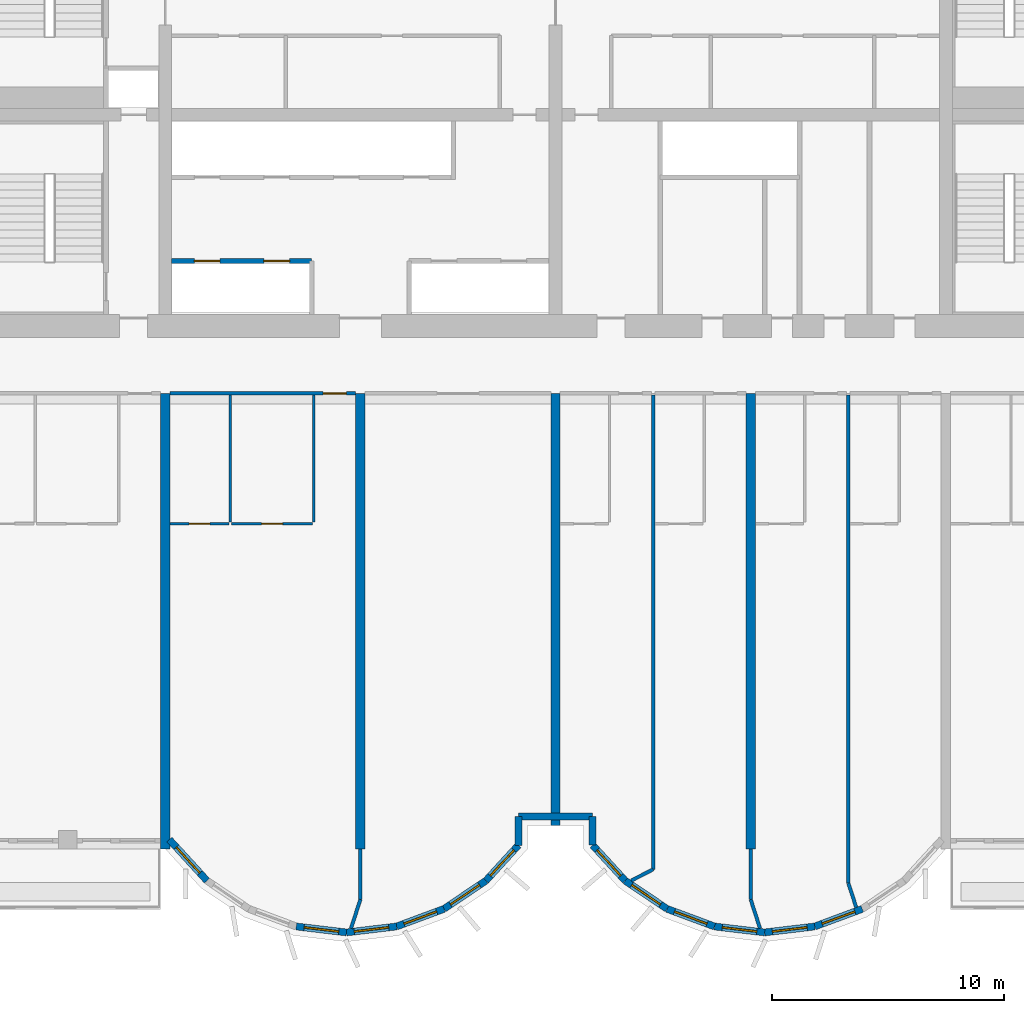
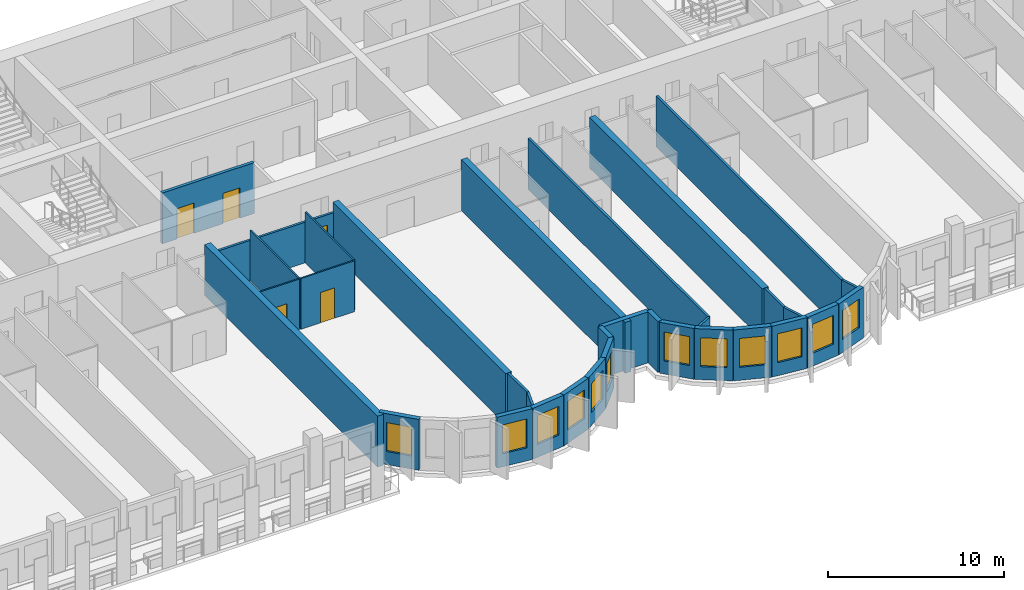
# One storey, part 4 of 14: 33 walls, 12 windows, 5 doors, 17 openings.
"""IFC4 building model written with IfcOpenShell, lengths in metres."""

import ifcopenshell
import ifcopenshell.guid

model = None  # the IFC model being written
_history = None  # IfcOwnerHistory: only IFC2X3 demands one
_inside = {}  # id of a spatial element -> (the spatial element, [elements in it])
_under = {}  # id of a project, library or spatial element -> (it, [spatial elements below it])
_declared = {}  # id of a project -> (the project, [libraries it declares])
_typed = {}  # id of a type object -> (the type object, [elements of that type])
_made_of = {}  # id of a material, layer set ... -> (it, [elements and type objects made of it])


def new_model(schema):
    """Start an empty IFC model of exactly this schema.

    Asked for "IFC4X3", IfcOpenShell would pick the latest addendum, in which some entities
    have other attributes; the version numbers below select the first issue.
    IFC2X3 requires an IfcOwnerHistory on every rooted entity: one is made here for all.
    """
    global model, _history
    if schema == "IFC4X3":
        model = ifcopenshell.file(schema_version=(4, 3, 0, 0))
    else:
        model = ifcopenshell.file(schema=schema)
    _inside.clear()
    _under.clear()
    _declared.clear()
    _typed.clear()
    _made_of.clear()
    _history = None
    if model.schema == "IFC2X3":
        org = make("IfcOrganization", Name="unknown")
        user = make(
            "IfcPersonAndOrganization",
            ThePerson=make("IfcPerson", FamilyName="unknown"),
            TheOrganization=org,
        )
        app = make(
            "IfcApplication",
            ApplicationDeveloper=org,
            Version="unknown",
            ApplicationFullName="unknown",
            ApplicationIdentifier="unknown",
        )
        _history = make(
            "IfcOwnerHistory",
            OwningUser=user,
            OwningApplication=app,
            ChangeAction="ADDED",
            CreationDate=0,
        )
    return model


def make(cls, **values):
    """One entity of the class cls with the attributes given. An attribute that is None is left unset."""
    return model.create_entity(
        cls, **{name: value for name, value in values.items() if value is not None}
    )


def rooted(cls, **values):
    """An entity with a GlobalId (a new one), such as an element, a storey or a relation."""
    return make(cls, GlobalId=ifcopenshell.guid.new(), OwnerHistory=_history, **values)


def si_unit(unit_type, name, prefix=None):
    """IfcSIUnit, for example si_unit("LENGTHUNIT", "METRE", prefix="MILLI")."""
    return make("IfcSIUnit", UnitType=unit_type, Prefix=prefix, Name=name)


def assignment(units):
    """IfcUnitAssignment: the units of a project."""
    return None if units is None else make("IfcUnitAssignment", Units=units)


def point(xyz):
    """IfcCartesianPoint."""
    return None if xyz is None else make("IfcCartesianPoint", Coordinates=xyz)


def direction(xyz):
    """IfcDirection."""
    return None if xyz is None else make("IfcDirection", DirectionRatios=xyz)


def frame(location, z_axis=None, x_axis=None):
    """IfcAxis2Placement3D, a coordinate frame: its origin and axes. An axis left out is left unset."""
    return make(
        "IfcAxis2Placement3D",
        Location=point(location),
        Axis=direction(z_axis),
        RefDirection=direction(x_axis),
    )


def frame_2d(location, x_axis=None):
    """IfcAxis2Placement2D, a coordinate frame in the plane: its origin and x axis."""
    return make(
        "IfcAxis2Placement2D", Location=point(location), RefDirection=direction(x_axis)
    )


def origin():
    """The frame at (0, 0, 0) with its axes left unset."""
    return frame((0.0, 0.0, 0.0))


def place(relative_to, where):
    """IfcLocalPlacement: puts the frame where relative to a parent placement (None: the world)."""
    return make(
        "IfcLocalPlacement", PlacementRelTo=relative_to, RelativePlacement=where
    )


def context(
    kind, dimensions, precision=None, world=None, true_north=None, identifier=None
):
    """IfcGeometricRepresentationContext, for example the 3D "Model" context."""
    return make(
        "IfcGeometricRepresentationContext",
        ContextIdentifier=identifier,
        ContextType=kind,
        CoordinateSpaceDimension=dimensions,
        Precision=precision,
        WorldCoordinateSystem=world,
        TrueNorth=true_north,
    )


def subcontext(parent, identifier, kind, view, scale=None):
    """IfcGeometricRepresentationSubContext, for example "Body" below "Model"."""
    return make(
        "IfcGeometricRepresentationSubContext",
        ContextIdentifier=identifier,
        ContextType=kind,
        ParentContext=parent,
        TargetScale=scale,
        TargetView=view,
    )


def project(units=None, contexts=None):
    """IfcProject with its units and contexts."""
    return rooted(
        "IfcProject",
        Name="project",
        RepresentationContexts=contexts,
        UnitsInContext=assignment(units),
    )


def spatial(cls, under=None, at=None, **own):
    """A site, building, storey or space (cls), placed at a placement, below another one or the project."""
    s = rooted(cls, ObjectPlacement=at, **own)
    if under is not None:
        _under.setdefault(under.id(), (under, []))[1].append(s)
    return s


def profile(cls, at=None, kind="AREA", **sizes):
    """A parametric profile (cls). Its sizes go by their IFC names, for example OverallWidth=200.0."""
    return make(cls, ProfileType=kind, Position=at, **sizes)


def rectangle(**sizes):
    """IfcRectangleProfileDef."""
    return profile("IfcRectangleProfileDef", **sizes)


def extrude(swept, where, along, depth):
    """IfcExtrudedAreaSolid: the profile swept, set in the frame where, extruded along a direction by depth."""
    return make(
        "IfcExtrudedAreaSolid",
        SweptArea=swept,
        Position=where,
        ExtrudedDirection=direction(along),
        Depth=depth,
    )


def shape(context_of_items, identifier, shape_type, items):
    """IfcShapeRepresentation: the items that make up one representation, for example the "Body"."""
    return make(
        "IfcShapeRepresentation",
        ContextOfItems=context_of_items,
        RepresentationIdentifier=identifier,
        RepresentationType=shape_type,
        Items=items,
    )


def source(mapping_origin, context_of_items, identifier, shape_type, items):
    """IfcRepresentationMap: a shape defined once, which mapped items show again and again."""
    return make(
        "IfcRepresentationMap",
        MappingOrigin=mapping_origin,
        MappedRepresentation=shape(context_of_items, identifier, shape_type, items),
    )


def transform(
    local_origin,
    x_axis=None,
    y_axis=None,
    z_axis=None,
    scale=None,
    scale2=None,
    scale3=None,
    uniform=True,
):
    """IfcCartesianTransformationOperator3D, or its non-uniform kind. x_axis, y_axis, z_axis: its Axis1, 2, 3."""
    if uniform:
        return make(
            "IfcCartesianTransformationOperator3D",
            Axis1=direction(x_axis),
            Axis2=direction(y_axis),
            LocalOrigin=point(local_origin),
            Scale=scale,
            Axis3=direction(z_axis),
        )
    return make(
        "IfcCartesianTransformationOperator3DnonUniform",
        Axis1=direction(x_axis),
        Axis2=direction(y_axis),
        LocalOrigin=point(local_origin),
        Scale=scale,
        Axis3=direction(z_axis),
        Scale2=scale2,
        Scale3=scale3,
    )


def mapped(mapping_source, mapping_target):
    """IfcMappedItem: shows the shape of a source again, moved by a transform."""
    return make(
        "IfcMappedItem", MappingSource=mapping_source, MappingTarget=mapping_target
    )


def material(Name=None, Category=None):
    """IfcMaterial."""
    return make("IfcMaterial", Name=Name, Category=Category)


def layer(
    of_material, thickness, ventilated=None, Name=None, Category=None, Priority=None
):
    """IfcMaterialLayer: one layer of a wall or slab, of a material (None: an air gap)."""
    return make(
        "IfcMaterialLayer",
        Material=of_material,
        LayerThickness=thickness,
        IsVentilated=ventilated,
        Name=Name,
        Category=Category,
        Priority=Priority,
    )


def layer_set(layers, Name=None):
    """IfcMaterialLayerSet."""
    return make("IfcMaterialLayerSet", MaterialLayers=layers, LayerSetName=Name)


def made_of(thing, what):
    """Note that an element or type object is made of a material, layer set ...; save() writes the relation."""
    if what is not None:
        _made_of.setdefault(what.id(), (what, []))[1].append(thing)
    return thing


def type_object(cls, material=None, **own):
    """A type object (cls), such as IfcWallType, which elements share."""
    return made_of(rooted(cls, **own), material)


def element(
    cls,
    number,
    at=None,
    inside=None,
    cuts=None,
    type_object=None,
    material=None,
    context=None,
    identifier="Body",
    shape_type=None,
    held_by="IfcProductDefinitionShape",
    body=None,
    shapes=None,
    **own,
):
    """One element of the class cls, such as IfcWall. Its Tag is "e" and its number.

    at: its placement. inside: the storey or other place that contains it. cuts: it is an
    opening in that element (IfcRelVoidsElement). A single representation is given by context,
    identifier, shape_type and body (its items); several are given by shapes. held_by: the class
    of the entity that holds the representations. save() writes the other relations.
    """
    e = rooted(cls, Tag="e%d" % number, ObjectPlacement=at, **own)
    if body is not None:
        shapes = [shape(context, identifier, shape_type, body)]
    if shapes is not None:
        e.Representation = make(held_by, Representations=shapes)
    if inside is not None:
        _inside.setdefault(inside.id(), (inside, []))[1].append(e)
    if cuts is not None:
        rooted(
            "IfcRelVoidsElement", RelatingBuildingElement=cuts, RelatedOpeningElement=e
        )
    if type_object is not None:
        _typed.setdefault(type_object.id(), (type_object, []))[1].append(e)
    return made_of(e, material)


def fill(opening, filler):
    """IfcRelFillsElement: the door or window that sits in an opening."""
    return rooted(
        "IfcRelFillsElement",
        RelatingOpeningElement=opening,
        RelatedBuildingElement=filler,
    )


def aggregate(whole, parts):
    """IfcRelAggregates: a whole, such as a stair, and the parts it consists of."""
    return rooted("IfcRelAggregates", RelatingObject=whole, RelatedObjects=parts)


def save(model, path):
    """Write the relations noted so far, then the file.

    IfcRelAggregates (storeys below a building ...), IfcRelContainedInSpatialStructure (elements
    in a storey), IfcRelDefinesByType, IfcRelAssociatesMaterial and IfcRelDeclares: one each for
    every whole, place, type object, material and project.
    """
    for whole, parts in _under.values():
        aggregate(whole, parts)
    for where, things in _inside.values():
        rooted(
            "IfcRelContainedInSpatialStructure",
            RelatedElements=things,
            RelatingStructure=where,
        )
    for kind, things in _typed.values():
        rooted("IfcRelDefinesByType", RelatedObjects=things, RelatingType=kind)
    for what, things in _made_of.values():
        rooted("IfcRelAssociatesMaterial", RelatedObjects=things, RelatingMaterial=what)
    for by, libraries in _declared.values():
        rooted("IfcRelDeclares", RelatingContext=by, RelatedDefinitions=libraries)
    model.write(path)


model = new_model("IFC4")

# Units and contexts
model_context = context("Model", 3, precision=1e-05, world=origin(), true_north=direction((0.0, 1.0)))
body_context = subcontext(model_context, "Body", "Model", "MODEL_VIEW")
ifc_project = project(units=[si_unit("LENGTHUNIT", "METRE"), si_unit("AREAUNIT", "SQUARE_METRE"), si_unit("VOLUMEUNIT", "CUBIC_METRE"), si_unit("PLANEANGLEUNIT", "RADIAN"), si_unit("MASSUNIT", "GRAM", prefix="KILO")], contexts=[model_context])

# Site, building, storey
site_placement = place(None, origin())
site = spatial("IfcSite", under=ifc_project, at=site_placement, CompositionType="ELEMENT")
building_placement = place(site_placement, origin())
building = spatial("IfcBuilding", under=site, at=building_placement, Name="Vanashikhar Sky Hotel", CompositionType="ELEMENT")
storey_placement = place(building_placement, frame((0.0, 0.0, 58.199951171875)))
storey = spatial("IfcBuildingStorey", under=building, at=storey_placement, Name="L13", CompositionType="ELEMENT", Elevation=58.199951171875)

# Walls
ifc_material_1 = material(Name="Concrete M80", Category="concrete")
ifc_layer_1 = layer(ifc_material_1, 0.39990234375)
ifc_layer_set_1 = layer_set([ifc_layer_1], Name="RC shear wall 400 Concrete M80")
wall_type_1 = type_object("IfcWallType", Name="RC shear wall 400 Concrete M80", PredefinedType="SHEAR", material=ifc_layer_set_1)
shared_shape_1 = source(origin(), body_context, "Body", "SweptSolid", [
    extrude(rectangle(XDim=19.60009765625, YDim=0.39990234375, at=frame_2d((9.800048828125, 0.0))), origin(), (0.0, 0.0, 1.0), 3.52001953125),
])
for number, where, z_axis, x_axis, name in (
    (1, (33.60009765625, 0.0, 0.0), (0.0, 0.0, 1.0), (0.0, 1.0, 0.0), "CW-L13-XW05-1"),
    (2, (42.0, 0.0, 0.0), (0.0, 0.0, 1.0), (0.0, 1.0, 0.0), "CW-L13-XW06-1"),
    (3, (58.800048828125, 0.0, 0.0), (0.0, 0.0, 1.0), (0.0, 1.0, 0.0), "CW-L13-XW08-1"),
):
    element("IfcWall", number, at=place(storey_placement, frame(where, z_axis=z_axis, x_axis=x_axis)), inside=storey, type_object=wall_type_1, Name=name, PredefinedType="SHEAR", context=body_context, shape_type="MappedRepresentation", body=[
        mapped(shared_shape_1, transform((0.0, 0.0, 0.0), scale=1.0)),
    ])
shared_shape_2 = source(origin(), body_context, "Body", "SweptSolid", [
    extrude(rectangle(XDim=18.60009765625, YDim=0.39990234375, at=frame_2d((9.300048828125, 0.0))), origin(), (0.0, 0.0, 1.0), 3.52001953125),
])
wall_1_placement = place(storey_placement, frame((50.39990234375, 1.0, 0.0), z_axis=(0.0, 0.0, 1.0), x_axis=(0.0, 1.0, 0.0)))
element("IfcWall", 4, at=wall_1_placement, inside=storey, type_object=wall_type_1, Name="CW-L13-XW07-1", PredefinedType="SHEAR", context=body_context, shape_type="MappedRepresentation", body=[
    mapped(shared_shape_2, transform((0.0, 0.0, 0.0), scale=1.0)),
])

# Wall, opening, window
ifc_material_2 = material(Name="Concrete M50", Category="concrete")
ifc_layer_2 = layer(ifc_material_2, 0.300048828125)
ifc_layer_set_2 = layer_set([ifc_layer_2], Name="Lobe wall 300")
wall_type_2 = type_object("IfcWallType", Name="Lobe wall 300", PredefinedType="SOLIDWALL", material=ifc_layer_set_2)
shared_shape_3 = source(origin(), body_context, "Body", "SweptSolid", [
    extrude(rectangle(XDim=2.398193359375, YDim=0.300048828125, at=frame_2d((1.19921875, 0.0))), origin(), (0.0, 0.0, 1.0), 3.52001953125),
])
wall_2_placement = place(storey_placement, frame((33.776123046875, 0.39990234375, 0.0), z_axis=(0.0, 0.0, 1.0), x_axis=(0.675374189419, -0.737475222815, 0.0)))
wall_2 = element("IfcWall", 5, at=wall_2_placement, inside=storey, type_object=wall_type_2, Name="Lobe wall", PredefinedType="SOLIDWALL", context=body_context, shape_type="MappedRepresentation", body=[
    mapped(shared_shape_3, transform((0.0, 0.0, 0.0), scale=1.0)),
])
shared_shape_4 = source(origin(), body_context, "Body", "SweptSolid", [
    extrude(rectangle(XDim=1.5, YDim=2.0, at=frame_2d((0.75, 1.0))), frame((0.0, 0.16015625, 0.0), z_axis=(0.0, -1.0, 0.0), x_axis=(1.0, 0.0, 0.0)), (0.0, 0.0, 1.0), 0.320068359375),
])
opening_1_placement = place(wall_2_placement, frame((0.44921875, 0.0, 0.89990234375)))
opening_1 = element("IfcOpeningElement", 6, at=opening_1_placement, cuts=wall_2, Name="Opening WN-2", PredefinedType="OPENING", context=body_context, shape_type="MappedRepresentation", body=[
    mapped(shared_shape_4, transform((0.0, 0.0, 0.0), scale=1.0)),
])
ifc_material_3 = material(Name="Glass", Category="glass")
window_type = type_object("IfcWindowType", Name="Lobe window 1500 x 2000", PartitioningType="SINGLE_PANEL", PredefinedType="WINDOW", material=ifc_material_3)
shared_shape_5 = source(origin(), body_context, "Body", "SweptSolid", [
    extrude(rectangle(XDim=1.5, YDim=2.0, at=frame_2d((0.75, 1.0))), frame((0.0, 0.030029296875, 0.0), z_axis=(0.0, -1.0, 0.0), x_axis=(1.0, 0.0, 0.0)), (0.0, 0.0, 1.0), 0.06005859375),
])
window_1_placement = place(opening_1_placement, origin())
window_1 = element("IfcWindow", 7, at=window_1_placement, inside=storey, type_object=window_type, Name="Window WN-2", OverallHeight=2.0, OverallWidth=1.5, PartitioningType="SINGLE_PANEL", PredefinedType="WINDOW", context=body_context, shape_type="MappedRepresentation", body=[
    mapped(shared_shape_5, transform((0.0, 0.0, 0.0), scale=1.0)),
])
fill(opening_1, window_1)

shared_shape_6 = source(origin(), body_context, "Body", "SweptSolid", [
    extrude(rectangle(XDim=2.17578125, YDim=0.300048828125, at=frame_2d((1.087890625, 0.0))), origin(), (0.0, 0.0, 1.0), 3.52001953125),
])
wall_3_placement = place(storey_placement, frame((45.59912109375, -2.58349609375, 0.0), z_axis=(0.0, 0.0, 1.0), x_axis=(0.829625727223, 0.558319937607, 0.0)))
wall_3 = element("IfcWall", 8, at=wall_3_placement, inside=storey, type_object=wall_type_2, Name="Lobe wall", PredefinedType="SOLIDWALL", context=body_context, shape_type="MappedRepresentation", body=[
    mapped(shared_shape_6, transform((0.0, 0.0, 0.0), scale=1.0)),
])
opening_2_placement = place(wall_3_placement, frame((0.337890625, 0.0, 0.89990234375)))
opening_2 = element("IfcOpeningElement", 9, at=opening_2_placement, cuts=wall_3, Name="Opening WN-2", PredefinedType="OPENING", context=body_context, shape_type="MappedRepresentation", body=[
    mapped(shared_shape_4, transform((0.0, 0.0, 0.0), scale=1.0)),
])
window_2_placement = place(opening_2_placement, origin())
window_2 = element("IfcWindow", 10, at=window_2_placement, inside=storey, type_object=window_type, Name="Window WN-2", OverallHeight=2.0, OverallWidth=1.5, PartitioningType="SINGLE_PANEL", PredefinedType="WINDOW", context=body_context, shape_type="MappedRepresentation", body=[
    mapped(shared_shape_5, transform((0.0, 0.0, 0.0), scale=1.0)),
])
fill(opening_2, window_2)

wall_4_placement = place(storey_placement, frame((53.395751953125, -1.36865234375, 0.0), z_axis=(0.0, 0.0, 1.0), x_axis=(0.829590746428, -0.558371913192, 0.0)))
wall_4 = element("IfcWall", 11, at=wall_4_placement, inside=storey, type_object=wall_type_2, Name="Lobe wall", PredefinedType="SOLIDWALL", context=body_context, shape_type="MappedRepresentation", body=[
    mapped(shared_shape_6, transform((0.0, 0.0, 0.0), scale=1.0)),
])
opening_3_placement = place(wall_4_placement, frame((0.337890625, 0.0, 0.89990234375)))
opening_3 = element("IfcOpeningElement", 12, at=opening_3_placement, cuts=wall_4, Name="Opening WN-2", PredefinedType="OPENING", context=body_context, shape_type="MappedRepresentation", body=[
    mapped(shared_shape_4, transform((0.0, 0.0, 0.0), scale=1.0)),
])
window_3_placement = place(opening_3_placement, origin())
window_3 = element("IfcWindow", 13, at=window_3_placement, inside=storey, type_object=window_type, Name="Window WN-2", OverallHeight=2.0, OverallWidth=1.5, PartitioningType="SINGLE_PANEL", PredefinedType="WINDOW", context=body_context, shape_type="MappedRepresentation", body=[
    mapped(shared_shape_5, transform((0.0, 0.0, 0.0), scale=1.0)),
])
fill(opening_3, window_3)

wall_5_placement = place(storey_placement, frame((55.20068359375, -2.58349609375, 0.0), z_axis=(0.0, 0.0, 1.0), x_axis=(0.93754555999, -0.347862505801, 0.0)))
wall_5 = element("IfcWall", 14, at=wall_5_placement, inside=storey, type_object=wall_type_2, Name="Lobe wall", PredefinedType="SOLIDWALL", context=body_context, shape_type="MappedRepresentation", body=[
    mapped(shared_shape_6, transform((0.0, 0.0, 0.0), scale=1.0)),
])
opening_4_placement = place(wall_5_placement, frame((0.337890625, 0.0, 0.89990234375)))
opening_4 = element("IfcOpeningElement", 15, at=opening_4_placement, cuts=wall_5, Name="Opening WN-2", PredefinedType="OPENING", context=body_context, shape_type="MappedRepresentation", body=[
    mapped(shared_shape_4, transform((0.0, 0.0, 0.0), scale=1.0)),
])
window_4_placement = place(opening_4_placement, origin())
window_4 = element("IfcWindow", 16, at=window_4_placement, inside=storey, type_object=window_type, Name="Window WN-2", OverallHeight=2.0, OverallWidth=1.5, PartitioningType="SINGLE_PANEL", PredefinedType="WINDOW", context=body_context, shape_type="MappedRepresentation", body=[
    mapped(shared_shape_5, transform((0.0, 0.0, 0.0), scale=1.0)),
])
fill(opening_4, window_4)

shared_shape_7 = source(origin(), body_context, "Body", "SweptSolid", [
    extrude(rectangle(XDim=2.174560546875, YDim=0.300048828125, at=frame_2d((1.08740234375, 0.0))), origin(), (0.0, 0.0, 1.0), 3.52001953125),
])
wall_6_placement = place(storey_placement, frame((39.240478515625, -3.34033203125, 0.0), z_axis=(0.0, 0.0, 1.0), x_axis=(0.993001132889, -0.118104826659, 0.0)))
wall_6 = element("IfcWall", 17, at=wall_6_placement, inside=storey, type_object=wall_type_2, Name="Lobe wall", PredefinedType="SOLIDWALL", context=body_context, shape_type="MappedRepresentation", body=[
    mapped(shared_shape_7, transform((0.0, 0.0, 0.0), scale=1.0)),
])
opening_5_placement = place(wall_6_placement, frame((0.33740234375, 0.0, 0.89990234375)))
opening_5 = element("IfcOpeningElement", 18, at=opening_5_placement, cuts=wall_6, Name="Opening WN-2", PredefinedType="OPENING", context=body_context, shape_type="MappedRepresentation", body=[
    mapped(shared_shape_4, transform((0.0, 0.0, 0.0), scale=1.0)),
])
window_5_placement = place(opening_5_placement, origin())
window_5 = element("IfcWindow", 19, at=window_5_placement, inside=storey, type_object=window_type, Name="Window WN-2", OverallHeight=2.0, OverallWidth=1.5, PartitioningType="SINGLE_PANEL", PredefinedType="WINDOW", context=body_context, shape_type="MappedRepresentation", body=[
    mapped(shared_shape_5, transform((0.0, 0.0, 0.0), scale=1.0)),
])
fill(opening_5, window_5)

wall_7_placement = place(storey_placement, frame((57.240478515625, -3.34033203125, 0.0), z_axis=(0.0, 0.0, 1.0), x_axis=(0.993001132889, -0.118104826659, 0.0)))
wall_7 = element("IfcWall", 20, at=wall_7_placement, inside=storey, type_object=wall_type_2, Name="Lobe wall", PredefinedType="SOLIDWALL", context=body_context, shape_type="MappedRepresentation", body=[
    mapped(shared_shape_7, transform((0.0, 0.0, 0.0), scale=1.0)),
])
opening_6_placement = place(wall_7_placement, frame((0.33740234375, 0.0, 0.89990234375)))
opening_6 = element("IfcOpeningElement", 21, at=opening_6_placement, cuts=wall_7, Name="Opening WN-2", PredefinedType="OPENING", context=body_context, shape_type="MappedRepresentation", body=[
    mapped(shared_shape_4, transform((0.0, 0.0, 0.0), scale=1.0)),
])
window_6_placement = place(opening_6_placement, origin())
window_6 = element("IfcWindow", 22, at=window_6_placement, inside=storey, type_object=window_type, Name="Window WN-2", OverallHeight=2.0, OverallWidth=1.5, PartitioningType="SINGLE_PANEL", PredefinedType="WINDOW", context=body_context, shape_type="MappedRepresentation", body=[
    mapped(shared_shape_5, transform((0.0, 0.0, 0.0), scale=1.0)),
])
fill(opening_6, window_6)

shared_shape_8 = source(origin(), body_context, "Body", "SweptSolid", [
    extrude(rectangle(XDim=2.1748046875, YDim=0.300048828125, at=frame_2d((1.08740234375, 0.0))), origin(), (0.0, 0.0, 1.0), 3.52001953125),
])
wall_8_placement = place(storey_placement, frame((41.39990234375, -3.59716796875, 0.0), z_axis=(0.0, 0.0, 1.0), x_axis=(0.993002698611, 0.118091661648, 0.0)))
wall_8 = element("IfcWall", 23, at=wall_8_placement, inside=storey, type_object=wall_type_2, Name="Lobe wall", PredefinedType="SOLIDWALL", context=body_context, shape_type="MappedRepresentation", body=[
    mapped(shared_shape_8, transform((0.0, 0.0, 0.0), scale=1.0)),
])
opening_7_placement = place(wall_8_placement, frame((0.33740234375, 0.0, 0.89990234375)))
opening_7 = element("IfcOpeningElement", 24, at=opening_7_placement, cuts=wall_8, Name="Opening WN-2", PredefinedType="OPENING", context=body_context, shape_type="MappedRepresentation", body=[
    mapped(shared_shape_4, transform((0.0, 0.0, 0.0), scale=1.0)),
])
window_7_placement = place(opening_7_placement, origin())
window_7 = element("IfcWindow", 25, at=window_7_placement, inside=storey, type_object=window_type, Name="Window WN-2", OverallHeight=2.0, OverallWidth=1.5, PartitioningType="SINGLE_PANEL", PredefinedType="WINDOW", context=body_context, shape_type="MappedRepresentation", body=[
    mapped(shared_shape_5, transform((0.0, 0.0, 0.0), scale=1.0)),
])
fill(opening_7, window_7)

wall_9_placement = place(storey_placement, frame((59.39990234375, -3.59716796875, 0.0), z_axis=(0.0, 0.0, 1.0), x_axis=(0.993002698611, 0.118091661648, 0.0)))
wall_9 = element("IfcWall", 26, at=wall_9_placement, inside=storey, type_object=wall_type_2, Name="Lobe wall", PredefinedType="SOLIDWALL", context=body_context, shape_type="MappedRepresentation", body=[
    mapped(shared_shape_8, transform((0.0, 0.0, 0.0), scale=1.0)),
])
opening_8_placement = place(wall_9_placement, frame((0.33740234375, 0.0, 0.89990234375)))
opening_8 = element("IfcOpeningElement", 27, at=opening_8_placement, cuts=wall_9, Name="Opening WN-2", PredefinedType="OPENING", context=body_context, shape_type="MappedRepresentation", body=[
    mapped(shared_shape_4, transform((0.0, 0.0, 0.0), scale=1.0)),
])
window_8_placement = place(opening_8_placement, origin())
window_8 = element("IfcWindow", 28, at=window_8_placement, inside=storey, type_object=window_type, Name="Window WN-2", OverallHeight=2.0, OverallWidth=1.5, PartitioningType="SINGLE_PANEL", PredefinedType="WINDOW", context=body_context, shape_type="MappedRepresentation", body=[
    mapped(shared_shape_5, transform((0.0, 0.0, 0.0), scale=1.0)),
])
fill(opening_8, window_8)

shared_shape_9 = source(origin(), body_context, "Body", "SweptSolid", [
    extrude(rectangle(XDim=2.175537109375, YDim=0.300048828125, at=frame_2d((1.087890625, 0.0))), origin(), (0.0, 0.0, 1.0), 3.52001953125),
])
wall_10_placement = place(storey_placement, frame((43.5595703125, -3.34033203125, 0.0), z_axis=(0.0, 0.0, 1.0), x_axis=(0.937531979054, 0.347899106424, 0.0)))
wall_10 = element("IfcWall", 29, at=wall_10_placement, inside=storey, type_object=wall_type_2, Name="Lobe wall", PredefinedType="SOLIDWALL", context=body_context, shape_type="MappedRepresentation", body=[
    mapped(shared_shape_9, transform((0.0, 0.0, 0.0), scale=1.0)),
])
opening_9_placement = place(wall_10_placement, frame((0.337890625, 0.0, 0.89990234375)))
opening_9 = element("IfcOpeningElement", 30, at=opening_9_placement, cuts=wall_10, Name="Opening WN-2", PredefinedType="OPENING", context=body_context, shape_type="MappedRepresentation", body=[
    mapped(shared_shape_4, transform((0.0, 0.0, 0.0), scale=1.0)),
])
window_9_placement = place(opening_9_placement, origin())
window_9 = element("IfcWindow", 31, at=window_9_placement, inside=storey, type_object=window_type, Name="Window WN-2", OverallHeight=2.0, OverallWidth=1.5, PartitioningType="SINGLE_PANEL", PredefinedType="WINDOW", context=body_context, shape_type="MappedRepresentation", body=[
    mapped(shared_shape_5, transform((0.0, 0.0, 0.0), scale=1.0)),
])
fill(opening_9, window_9)

wall_11_placement = place(storey_placement, frame((61.5595703125, -3.34033203125, 0.0), z_axis=(0.0, 0.0, 1.0), x_axis=(0.937531979054, 0.347899106424, 0.0)))
wall_11 = element("IfcWall", 32, at=wall_11_placement, inside=storey, type_object=wall_type_2, Name="Lobe wall", PredefinedType="SOLIDWALL", context=body_context, shape_type="MappedRepresentation", body=[
    mapped(shared_shape_9, transform((0.0, 0.0, 0.0), scale=1.0)),
])
opening_10_placement = place(wall_11_placement, frame((0.337890625, 0.0, 0.89990234375)))
opening_10 = element("IfcOpeningElement", 33, at=opening_10_placement, cuts=wall_11, Name="Opening WN-2", PredefinedType="OPENING", context=body_context, shape_type="MappedRepresentation", body=[
    mapped(shared_shape_4, transform((0.0, 0.0, 0.0), scale=1.0)),
])
window_10_placement = place(opening_10_placement, origin())
window_10 = element("IfcWindow", 34, at=window_10_placement, inside=storey, type_object=window_type, Name="Window WN-2", OverallHeight=2.0, OverallWidth=1.5, PartitioningType="SINGLE_PANEL", PredefinedType="WINDOW", context=body_context, shape_type="MappedRepresentation", body=[
    mapped(shared_shape_5, transform((0.0, 0.0, 0.0), scale=1.0)),
])
fill(opening_10, window_10)

shared_shape_10 = source(origin(), body_context, "Body", "SweptSolid", [
    extrude(rectangle(XDim=2.066650390625, YDim=0.300048828125, at=frame_2d((1.033203125, 0.0))), origin(), (0.0, 0.0, 1.0), 3.52001953125),
])
wall_12_placement = place(storey_placement, frame((47.404296875, -1.36865234375, 0.0), z_axis=(0.0, 0.0, 1.0), x_axis=(0.675355439877, 0.737492393065, 0.0)))
wall_12 = element("IfcWall", 35, at=wall_12_placement, inside=storey, type_object=wall_type_2, Name="Lobe wall", PredefinedType="SOLIDWALL", context=body_context, shape_type="MappedRepresentation", body=[
    mapped(shared_shape_10, transform((0.0, 0.0, 0.0), scale=1.0)),
])
opening_11_placement = place(wall_12_placement, frame((0.283447265625, 0.0, 0.89990234375)))
opening_11 = element("IfcOpeningElement", 36, at=opening_11_placement, cuts=wall_12, Name="Opening WN-2", PredefinedType="OPENING", context=body_context, shape_type="MappedRepresentation", body=[
    mapped(shared_shape_4, transform((0.0, 0.0, 0.0), scale=1.0)),
])
window_11_placement = place(opening_11_placement, origin())
window_11 = element("IfcWindow", 37, at=window_11_placement, inside=storey, type_object=window_type, Name="Window WN-2", OverallHeight=2.0, OverallWidth=1.5, PartitioningType="SINGLE_PANEL", PredefinedType="WINDOW", context=body_context, shape_type="MappedRepresentation", body=[
    mapped(shared_shape_5, transform((0.0, 0.0, 0.0), scale=1.0)),
])
fill(opening_11, window_11)

wall_13_placement = place(storey_placement, frame((52.0, 0.155517578125, 0.0), z_axis=(0.0, 0.0, 1.0), x_axis=(0.675355439877, -0.737492393065, 0.0)))
wall_13 = element("IfcWall", 38, at=wall_13_placement, inside=storey, type_object=wall_type_2, Name="Lobe wall", PredefinedType="SOLIDWALL", context=body_context, shape_type="MappedRepresentation", body=[
    mapped(shared_shape_10, transform((0.0, 0.0, 0.0), scale=1.0)),
])
opening_12_placement = place(wall_13_placement, frame((0.283447265625, 0.0, 0.89990234375)))
opening_12 = element("IfcOpeningElement", 39, at=opening_12_placement, cuts=wall_13, Name="Opening WN-2", PredefinedType="OPENING", context=body_context, shape_type="MappedRepresentation", body=[
    mapped(shared_shape_4, transform((0.0, 0.0, 0.0), scale=1.0)),
])
window_12_placement = place(opening_12_placement, origin())
window_12 = element("IfcWindow", 40, at=window_12_placement, inside=storey, type_object=window_type, Name="Window WN-2", OverallHeight=2.0, OverallWidth=1.5, PartitioningType="SINGLE_PANEL", PredefinedType="WINDOW", context=body_context, shape_type="MappedRepresentation", body=[
    mapped(shared_shape_5, transform((0.0, 0.0, 0.0), scale=1.0)),
])
fill(opening_12, window_12)

# Walls
shared_shape_11 = source(origin(), body_context, "Body", "SweptSolid", [
    extrude(rectangle(XDim=1.244384765625, YDim=0.300048828125, at=frame_2d((0.6220703125, 0.0))), origin(), (0.0, 0.0, 1.0), 3.52001953125),
])
for number, where, z_axis, x_axis, name in (
    (41, (48.800048828125, 0.155517578125, 0.0), (0.0, 0.0, 1.0), (0.0, 1.0, 0.0), "Groove wall"),
    (42, (52.0, 1.39990234375, 0.0), (0.0, 0.0, 1.0), (0.0, -1.0, 0.0), "Groove wall"),
):
    element("IfcWall", number, at=place(storey_placement, frame(where, z_axis=z_axis, x_axis=x_axis)), inside=storey, type_object=wall_type_2, Name=name, PredefinedType="SOLIDWALL", context=body_context, shape_type="MappedRepresentation", body=[
        mapped(shared_shape_11, transform((0.0, 0.0, 0.0), scale=1.0)),
    ])
shared_shape_12 = source(origin(), body_context, "Body", "SweptSolid", [
    extrude(rectangle(XDim=3.199951171875, YDim=0.300048828125, at=frame_2d((1.60009765625, 0.0))), origin(), (0.0, 0.0, 1.0), 3.52001953125),
])
wall_14_placement = place(storey_placement, frame((48.800048828125, 1.39990234375, 0.0), z_axis=(0.0, 0.0, 1.0), x_axis=(1.0, 0.0, 0.0)))
element("IfcWall", 43, at=wall_14_placement, inside=storey, type_object=wall_type_2, Name="Groove wall", PredefinedType="SOLIDWALL", context=body_context, shape_type="MappedRepresentation", body=[
    mapped(shared_shape_12, transform((0.0, 0.0, 0.0), scale=1.0)),
])

# Wall, openings, doors
ifc_material_4 = material(Name="Concrete M40", Category="concrete")
ifc_layer_3 = layer(ifc_material_4, 0.199951171875)
ifc_layer_set_3 = layer_set([ifc_layer_3], Name="Shaft wall 200")
wall_type_3 = type_object("IfcWallType", Name="Shaft wall 200", PredefinedType="SOLIDWALL", material=ifc_layer_set_3)
shared_shape_13 = source(origin(), body_context, "Body", "SweptSolid", [
    extrude(rectangle(XDim=6.02490234375, YDim=0.199951171875, at=frame_2d((3.012451171875, 0.0))), origin(), (0.0, 0.0, 1.0), 3.52001953125),
])
wall_15_placement = place(storey_placement, frame((33.875, 25.300048828125, 0.0), z_axis=(0.0, 0.0, 1.0), x_axis=(1.0, 0.0, 0.0)))
wall_15 = element("IfcWall", 44, at=wall_15_placement, inside=storey, type_object=wall_type_3, Name="Shaft wall 200", PredefinedType="SOLIDWALL", context=body_context, shape_type="MappedRepresentation", body=[
    mapped(shared_shape_13, transform((0.0, 0.0, 0.0), scale=1.0)),
])
shared_shape_14 = source(origin(), body_context, "Body", "SweptSolid", [
    extrude(rectangle(XDim=1.10009765625, YDim=2.10009765625, at=frame_2d((0.550048828125, 1.050048828125))), frame((0.0, 0.10986328125, 0.0), z_axis=(0.0, -1.0, 0.0), x_axis=(1.0, 0.0, 0.0)), (0.0, 0.0, 1.0), 0.219970703125),
])
opening_13_placement = place(wall_15_placement, frame((0.97509765625, 0.0, 0.0)))
opening_13 = element("IfcOpeningElement", 45, at=opening_13_placement, cuts=wall_15, Name="Opening LD", PredefinedType="OPENING", context=body_context, shape_type="MappedRepresentation", body=[
    mapped(shared_shape_14, transform((0.0, 0.0, 0.0), scale=1.0)),
])
opening_14_placement = place(wall_15_placement, frame((3.97509765625, 0.0, 0.0)))
opening_14 = element("IfcOpeningElement", 46, at=opening_14_placement, cuts=wall_15, Name="Opening LD", PredefinedType="OPENING", context=body_context, shape_type="MappedRepresentation", body=[
    mapped(shared_shape_14, transform((0.0, 0.0, 0.0), scale=1.0)),
])
ifc_material_5 = material(Name="Stainless steel", Category="steel")
door_type_1 = type_object("IfcDoorType", Name="Lift landing door 1100", OperationType="NOTDEFINED", PredefinedType="DOOR", material=ifc_material_5)
shared_shape_15 = source(origin(), body_context, "Body", "SweptSolid", [
    extrude(rectangle(XDim=1.10009765625, YDim=2.10009765625, at=frame_2d((0.550048828125, 1.050048828125))), frame((0.0, 0.02490234375, 0.0), z_axis=(0.0, -1.0, 0.0), x_axis=(1.0, 0.0, 0.0)), (0.0, 0.0, 1.0), 0.050048828125),
])
door_1_placement = place(opening_13_placement, origin())
door_1 = element("IfcDoor", 47, at=door_1_placement, inside=storey, type_object=door_type_1, Name="Lift landing door 1100", OperationType="SLIDING_TO_LEFT", OverallHeight=2.10009765625, OverallWidth=1.10009765625, PredefinedType="DOOR", context=body_context, shape_type="MappedRepresentation", body=[
    mapped(shared_shape_15, transform((0.0, 0.0, 0.0), scale=1.0)),
])
fill(opening_13, door_1)
door_2_placement = place(opening_14_placement, origin())
door_2 = element("IfcDoor", 48, at=door_2_placement, inside=storey, type_object=door_type_1, Name="Lift landing door 1100", OperationType="SLIDING_TO_RIGHT", OverallHeight=2.10009765625, OverallWidth=1.10009765625, PredefinedType="DOOR", context=body_context, shape_type="MappedRepresentation", body=[
    mapped(shared_shape_15, transform((0.0, 0.0, 0.0), scale=1.0)),
])
fill(opening_14, door_2)

# Walls
ifc_material_6 = material(Name="Gypsum plasterboard partition")
ifc_layer_4 = layer(ifc_material_6, 0.14990234375)
ifc_layer_set_4 = layer_set([ifc_layer_4], Name="Corridor and demising partition 150")
wall_type_4 = type_object("IfcWallType", Name="Corridor and demising partition 150", PredefinedType="PARTITIONING", material=ifc_layer_set_4)
shared_shape_16 = source(origin(), body_context, "Body", "SweptSolid", [
    extrude(rectangle(XDim=20.997802734375, YDim=0.14990234375, at=frame_2d((10.4990234375, 0.0))), origin(), (0.0, 0.0, 1.0), 3.52001953125),
])
wall_16_placement = place(storey_placement, frame((63.0, -1.472900390625, 0.0), z_axis=(0.0, 0.0, 1.0), x_axis=(0.0, 1.0, 0.0)))
element("IfcWall", 49, at=wall_16_placement, inside=storey, type_object=wall_type_4, Name="W-L13-PW044", PredefinedType="PARTITIONING", context=body_context, shape_type="MappedRepresentation", body=[
    mapped(shared_shape_16, transform((0.0, 0.0, 0.0), scale=1.0)),
])
shared_shape_17 = source(origin(), body_context, "Body", "SweptSolid", [
    extrude(rectangle(XDim=20.406005859375, YDim=0.14990234375, at=frame_2d((10.203125, 0.0))), origin(), (0.0, 0.0, 1.0), 3.52001953125),
])
wall_17_placement = place(storey_placement, frame((54.60009765625, -0.881103515625, 0.0), z_axis=(0.0, 0.0, 1.0), x_axis=(0.0, 1.0, 0.0)))
element("IfcWall", 50, at=wall_17_placement, inside=storey, type_object=wall_type_4, Name="W-L13-PW037", PredefinedType="PARTITIONING", context=body_context, shape_type="MappedRepresentation", body=[
    mapped(shared_shape_17, transform((0.0, 0.0, 0.0), scale=1.0)),
])
shared_shape_18 = source(origin(), body_context, "Body", "SweptSolid", [
    extrude(rectangle(XDim=2.177978515625, YDim=0.14990234375, at=frame_2d((1.0888671875, 0.0))), origin(), (0.0, 0.0, 1.0), 3.52001953125),
])
for number, where, z_axis, x_axis, name in (
    (51, (42.0, -2.177978515625, 0.0), (0.0, 0.0, 1.0), (0.0, 1.0, 0.0), "W-L13-PW071"),
    (52, (58.800048828125, -2.177978515625, 0.0), (0.0, 0.0, 1.0), (0.0, 1.0, 0.0), "W-L13-PW072"),
):
    element("IfcWall", number, at=place(storey_placement, frame(where, z_axis=z_axis, x_axis=x_axis)), inside=storey, type_object=wall_type_4, Name=name, PredefinedType="PARTITIONING", context=body_context, shape_type="MappedRepresentation", body=[
        mapped(shared_shape_18, transform((0.0, 0.0, 0.0), scale=1.0)),
    ])

# Wall, opening, door
ifc_layer_5 = layer(ifc_material_6, 0.10009765625)
ifc_layer_set_5 = layer_set([ifc_layer_5], Name="Wet room partition 100")
wall_type_5 = type_object("IfcWallType", Name="Wet room partition 100", PredefinedType="PARTITIONING", material=ifc_layer_set_5)
shared_shape_19 = source(origin(), body_context, "Body", "SweptSolid", [
    extrude(rectangle(XDim=3.5, YDim=0.10009765625, at=frame_2d((1.75, 0.0))), origin(), (0.0, 0.0, 1.0), 3.52001953125),
])
wall_18_placement = place(storey_placement, frame((36.449951171875, 14.0, 0.0), z_axis=(0.0, 0.0, 1.0), x_axis=(1.0, 0.0, 0.0)))
wall_18 = element("IfcWall", 53, at=wall_18_placement, inside=storey, type_object=wall_type_5, Name="W-L13-PW027", PredefinedType="PARTITIONING", context=body_context, shape_type="MappedRepresentation", body=[
    mapped(shared_shape_19, transform((0.0, 0.0, 0.0), scale=1.0)),
])
shared_shape_20 = source(origin(), body_context, "Body", "SweptSolid", [
    extrude(rectangle(XDim=0.89990234375, YDim=2.10009765625, at=frame_2d((0.449951171875, 1.050048828125))), frame((0.0, 0.06005859375, 0.0), z_axis=(0.0, -1.0, 0.0), x_axis=(1.0, 0.0, 0.0)), (0.0, 0.0, 1.0), 0.1201171875),
])
opening_15_placement = place(wall_18_placement, frame((1.300048828125, 0.0, 0.0)))
opening_15 = element("IfcOpeningElement", 54, at=opening_15_placement, cuts=wall_18, Name="Opening D-02", PredefinedType="OPENING", context=body_context, shape_type="MappedRepresentation", body=[
    mapped(shared_shape_20, transform((0.0, 0.0, 0.0), scale=1.0)),
])
ifc_material_7 = material(Name="Timber door", Category="wood")
door_type_2 = type_object("IfcDoorType", Name="Internal door 900", OperationType="NOTDEFINED", PredefinedType="DOOR", material=ifc_material_7)
shared_shape_21 = source(origin(), body_context, "Body", "SweptSolid", [
    extrude(rectangle(XDim=0.89990234375, YDim=2.10009765625, at=frame_2d((0.449951171875, 1.050048828125))), frame((0.0, 0.02490234375, 0.0), z_axis=(0.0, -1.0, 0.0), x_axis=(1.0, 0.0, 0.0)), (0.0, 0.0, 1.0), 0.050048828125),
])
door_3_placement = place(opening_15_placement, origin())
door_3 = element("IfcDoor", 55, at=door_3_placement, inside=storey, type_object=door_type_2, Name="D-L13-015", OperationType="SINGLE_SWING_RIGHT", OverallHeight=2.10009765625, OverallWidth=0.89990234375, PredefinedType="DOOR", context=body_context, shape_type="MappedRepresentation", body=[
    mapped(shared_shape_21, transform((0.0, 0.0, 0.0), scale=1.0)),
])
fill(opening_15, door_3)

# Walls
shared_shape_22 = source(origin(), body_context, "Body", "SweptSolid", [
    extrude(rectangle(XDim=1.100830078125, YDim=0.14990234375, at=frame_2d((0.55029296875, 0.0))), origin(), (0.0, 0.0, 1.0), 3.52001953125),
])
wall_19_placement = place(storey_placement, frame((63.343017578125, -2.51904296875, 0.0), z_axis=(0.0, 0.0, 1.0), x_axis=(-0.311567081539, 0.950224159712, 0.0)))
element("IfcWall", 56, at=wall_19_placement, inside=storey, type_object=wall_type_4, Name="W-L13-PW044B0", PredefinedType="PARTITIONING", context=body_context, shape_type="MappedRepresentation", body=[
    mapped(shared_shape_22, transform((0.0, 0.0, 0.0), scale=1.0)),
])
shared_shape_23 = source(origin(), body_context, "Body", "SweptSolid", [
    extrude(rectangle(XDim=1.057861328125, YDim=0.14990234375, at=frame_2d((0.52880859375, 0.0))), origin(), (0.0, 0.0, 1.0), 3.52001953125),
])
wall_20_placement = place(storey_placement, frame((53.659912109375, -1.365966796875, 0.0), z_axis=(0.0, 0.0, 1.0), x_axis=(0.888772319209, 0.458348955063, 0.0)))
element("IfcWall", 57, at=wall_20_placement, inside=storey, type_object=wall_type_4, Name="W-L13-PW037B0", PredefinedType="PARTITIONING", context=body_context, shape_type="MappedRepresentation", body=[
    mapped(shared_shape_23, transform((0.0, 0.0, 0.0), scale=1.0)),
])
shared_shape_24 = source(origin(), body_context, "Body", "SweptSolid", [
    extrude(rectangle(XDim=1.308349609375, YDim=0.14990234375, at=frame_2d((0.654296875, 0.0))), origin(), (0.0, 0.0, 1.0), 3.52001953125),
])
for number, where, z_axis, x_axis, name in (
    (58, (41.597900390625, -3.423095703125, 0.0), (0.0, 0.0, 1.0), (0.307313512187, 0.951608325535, 0.0), "W-L13-PW071B0"),
    (59, (59.201904296875, -3.423095703125, 0.0), (0.0, 0.0, 1.0), (-0.307144529633, 0.951662880392, 0.0), "W-L13-PW072B0"),
):
    element("IfcWall", number, at=place(storey_placement, frame(where, z_axis=z_axis, x_axis=x_axis)), inside=storey, type_object=wall_type_4, Name=name, PredefinedType="PARTITIONING", context=body_context, shape_type="MappedRepresentation", body=[
        mapped(shared_shape_24, transform((0.0, 0.0, 0.0), scale=1.0)),
    ])

# Wall, opening, door
shared_shape_25 = source(origin(), body_context, "Body", "SweptSolid", [
    extrude(rectangle(XDim=2.550048828125, YDim=0.10009765625, at=frame_2d((1.27490234375, 0.0))), origin(), (0.0, 0.0, 1.0), 3.52001953125),
])
wall_21_placement = place(storey_placement, frame((33.800048828125, 14.0, 0.0), z_axis=(0.0, 0.0, 1.0), x_axis=(1.0, 0.0, 0.0)))
wall_21 = element("IfcWall", 60, at=wall_21_placement, inside=storey, type_object=wall_type_5, Name="W-L13-PW028", PredefinedType="PARTITIONING", context=body_context, shape_type="MappedRepresentation", body=[
    mapped(shared_shape_25, transform((0.0, 0.0, 0.0), scale=1.0)),
])
opening_16_placement = place(wall_21_placement, frame((0.824951171875, 0.0, 0.0)))
opening_16 = element("IfcOpeningElement", 61, at=opening_16_placement, cuts=wall_21, Name="Opening D-02", PredefinedType="OPENING", context=body_context, shape_type="MappedRepresentation", body=[
    mapped(shared_shape_20, transform((0.0, 0.0, 0.0), scale=1.0)),
])
door_4_placement = place(opening_16_placement, origin())
door_4 = element("IfcDoor", 62, at=door_4_placement, inside=storey, type_object=door_type_2, Name="D-L13-016", OperationType="SINGLE_SWING_RIGHT", OverallHeight=2.10009765625, OverallWidth=0.89990234375, PredefinedType="DOOR", context=body_context, shape_type="MappedRepresentation", body=[
    mapped(shared_shape_21, transform((0.0, 0.0, 0.0), scale=1.0)),
])
fill(opening_16, door_4)

shared_shape_26 = source(origin(), body_context, "Body", "SweptSolid", [
    extrude(rectangle(XDim=8.0, YDim=0.14990234375, at=frame_2d((4.0, 0.0))), origin(), (0.0, 0.0, 1.0), 2.820068359375),
])
wall_22_placement = place(storey_placement, frame((33.800048828125, 19.60009765625, 0.0), z_axis=(0.0, 0.0, 1.0), x_axis=(1.0, 0.0, 0.0)))
wall_22 = element("IfcWall", 63, at=wall_22_placement, inside=storey, type_object=wall_type_4, Name="W-L13-PW029", PredefinedType="PARTITIONING", context=body_context, shape_type="MappedRepresentation", body=[
    mapped(shared_shape_26, transform((0.0, 0.0, 0.0), scale=1.0)),
])
shared_shape_27 = source(origin(), body_context, "Body", "SweptSolid", [
    extrude(rectangle(XDim=1.0, YDim=2.10009765625, at=frame_2d((0.5, 1.050048828125))), frame((0.0, 0.0849609375, 0.0), z_axis=(0.0, -1.0, 0.0), x_axis=(1.0, 0.0, 0.0)), (0.0, 0.0, 1.0), 0.169921875),
])
opening_17_placement = place(wall_22_placement, frame((6.60009765625, 0.0, 0.0)))
opening_17 = element("IfcOpeningElement", 64, at=opening_17_placement, cuts=wall_22, Name="Opening D-01", PredefinedType="OPENING", context=body_context, shape_type="MappedRepresentation", body=[
    mapped(shared_shape_27, transform((0.0, 0.0, 0.0), scale=1.0)),
])
ifc_material_8 = material(Name="Timber fire door", Category="wood")
door_type_3 = type_object("IfcDoorType", Name="Guest entry door 1000 FD30S", OperationType="NOTDEFINED", PredefinedType="DOOR", material=ifc_material_8)
shared_shape_28 = source(origin(), body_context, "Body", "SweptSolid", [
    extrude(rectangle(XDim=1.0, YDim=2.10009765625, at=frame_2d((0.5, 1.050048828125))), frame((0.0, 0.02490234375, 0.0), z_axis=(0.0, -1.0, 0.0), x_axis=(1.0, 0.0, 0.0)), (0.0, 0.0, 1.0), 0.050048828125),
])
door_5_placement = place(opening_17_placement, origin())
door_5 = element("IfcDoor", 65, at=door_5_placement, inside=storey, type_object=door_type_3, Name="D-L13-017", OperationType="SINGLE_SWING_RIGHT", OverallHeight=2.10009765625, OverallWidth=1.0, PredefinedType="DOOR", context=body_context, shape_type="MappedRepresentation", body=[
    mapped(shared_shape_28, transform((0.0, 0.0, 0.0), scale=1.0)),
])
fill(opening_17, door_5)

# Walls
shared_shape_29 = source(origin(), body_context, "Body", "SweptSolid", [
    extrude(rectangle(XDim=5.449951171875, YDim=0.10009765625, at=frame_2d((2.72509765625, 0.0))), origin(), (0.0, 0.0, 1.0), 3.52001953125),
])
for number, where, z_axis, x_axis, name in (
    (66, (40.0, 14.074951171875, 0.0), (0.0, 0.0, 1.0), (0.0, 1.0, 0.0), "W-L13-PW025"),
    (67, (36.39990234375, 14.074951171875, 0.0), (0.0, 0.0, 1.0), (0.0, 1.0, 0.0), "W-L13-PW026"),
):
    element("IfcWall", number, at=place(storey_placement, frame(where, z_axis=z_axis, x_axis=x_axis)), inside=storey, type_object=wall_type_5, Name=name, PredefinedType="PARTITIONING", context=body_context, shape_type="MappedRepresentation", body=[
        mapped(shared_shape_29, transform((0.0, 0.0, 0.0), scale=1.0)),
    ])

save(model, "model.ifc")
